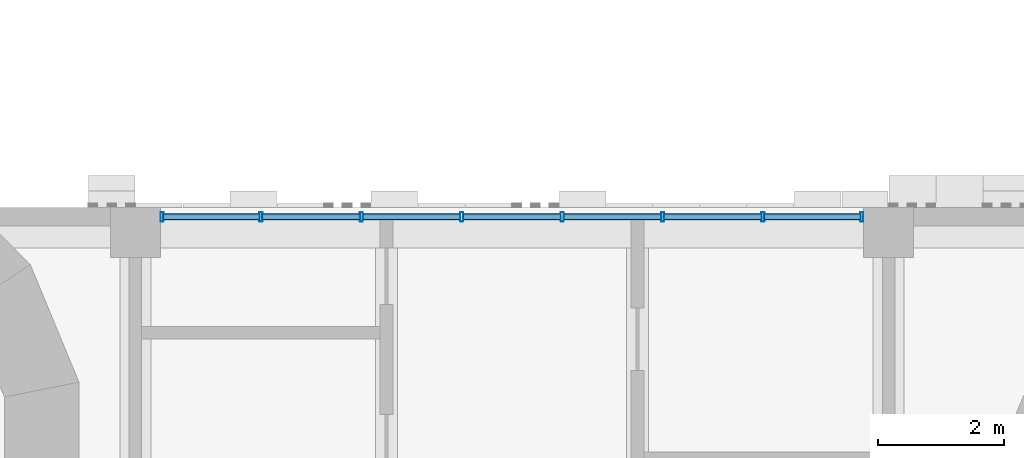
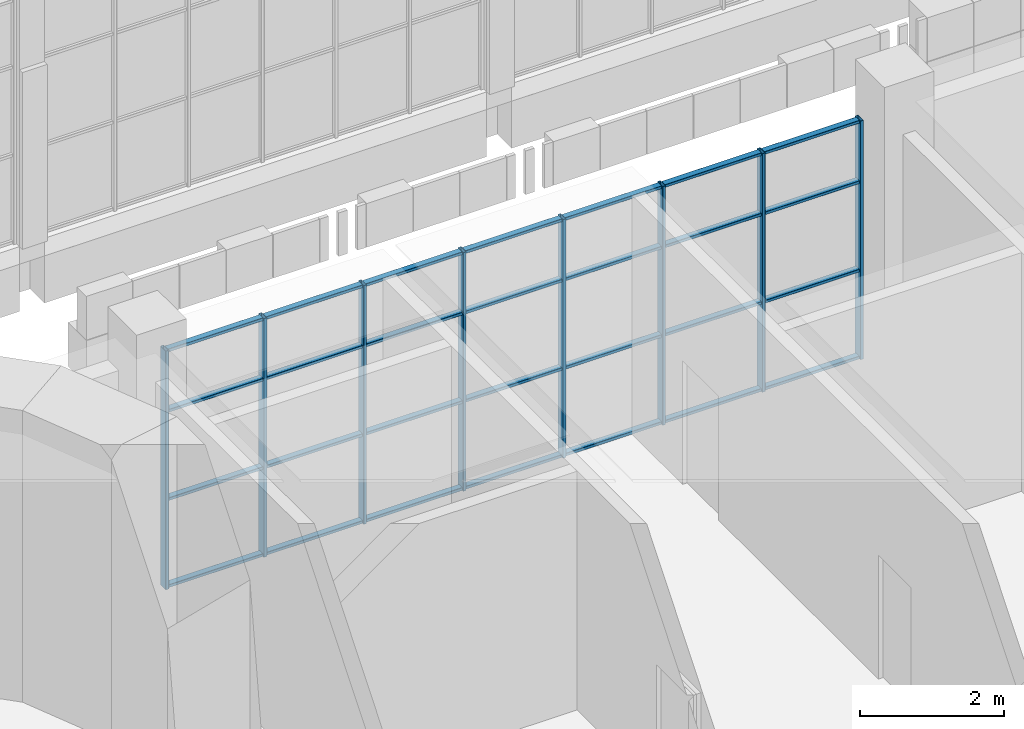
# One storey, part 7 of 125: 36 members, 1 element without a shape of its own.
"""IFC4 building model written with IfcOpenShell, lengths in metres."""

import ifcopenshell
import ifcopenshell.guid

model = None  # the IFC model being written
_history = None  # IfcOwnerHistory: only IFC2X3 demands one
_inside = {}  # id of a spatial element -> (the spatial element, [elements in it])
_under = {}  # id of a project, library or spatial element -> (it, [spatial elements below it])
_declared = {}  # id of a project -> (the project, [libraries it declares])
_typed = {}  # id of a type object -> (the type object, [elements of that type])
_made_of = {}  # id of a material, layer set ... -> (it, [elements and type objects made of it])


def new_model(schema):
    """Start an empty IFC model of exactly this schema.

    Asked for "IFC4X3", IfcOpenShell would pick the latest addendum, in which some entities
    have other attributes; the version numbers below select the first issue.
    IFC2X3 requires an IfcOwnerHistory on every rooted entity: one is made here for all.
    """
    global model, _history
    if schema == "IFC4X3":
        model = ifcopenshell.file(schema_version=(4, 3, 0, 0))
    else:
        model = ifcopenshell.file(schema=schema)
    _inside.clear()
    _under.clear()
    _declared.clear()
    _typed.clear()
    _made_of.clear()
    _history = None
    if model.schema == "IFC2X3":
        org = make("IfcOrganization", Name="unknown")
        user = make(
            "IfcPersonAndOrganization",
            ThePerson=make("IfcPerson", FamilyName="unknown"),
            TheOrganization=org,
        )
        app = make(
            "IfcApplication",
            ApplicationDeveloper=org,
            Version="unknown",
            ApplicationFullName="unknown",
            ApplicationIdentifier="unknown",
        )
        _history = make(
            "IfcOwnerHistory",
            OwningUser=user,
            OwningApplication=app,
            ChangeAction="ADDED",
            CreationDate=0,
        )
    return model


def make(cls, **values):
    """One entity of the class cls with the attributes given. An attribute that is None is left unset."""
    return model.create_entity(
        cls, **{name: value for name, value in values.items() if value is not None}
    )


def rooted(cls, **values):
    """An entity with a GlobalId (a new one), such as an element, a storey or a relation."""
    return make(cls, GlobalId=ifcopenshell.guid.new(), OwnerHistory=_history, **values)


def si_unit(unit_type, name, prefix=None):
    """IfcSIUnit, for example si_unit("LENGTHUNIT", "METRE", prefix="MILLI")."""
    return make("IfcSIUnit", UnitType=unit_type, Prefix=prefix, Name=name)


def assignment(units):
    """IfcUnitAssignment: the units of a project."""
    return None if units is None else make("IfcUnitAssignment", Units=units)


def point(xyz):
    """IfcCartesianPoint."""
    return None if xyz is None else make("IfcCartesianPoint", Coordinates=xyz)


def direction(xyz):
    """IfcDirection."""
    return None if xyz is None else make("IfcDirection", DirectionRatios=xyz)


def frame(location, z_axis=None, x_axis=None):
    """IfcAxis2Placement3D, a coordinate frame: its origin and axes. An axis left out is left unset."""
    return make(
        "IfcAxis2Placement3D",
        Location=point(location),
        Axis=direction(z_axis),
        RefDirection=direction(x_axis),
    )


def frame_2d(location, x_axis=None):
    """IfcAxis2Placement2D, a coordinate frame in the plane: its origin and x axis."""
    return make(
        "IfcAxis2Placement2D", Location=point(location), RefDirection=direction(x_axis)
    )


def origin():
    """The frame at (0, 0, 0) with its axes left unset."""
    return frame((0.0, 0.0, 0.0))


def origin_2d():
    """The frame at (0, 0) in the plane with its x axis left unset."""
    return frame_2d((0.0, 0.0))


def place(relative_to, where):
    """IfcLocalPlacement: puts the frame where relative to a parent placement (None: the world)."""
    return make(
        "IfcLocalPlacement", PlacementRelTo=relative_to, RelativePlacement=where
    )


def context(
    kind, dimensions, precision=None, world=None, true_north=None, identifier=None
):
    """IfcGeometricRepresentationContext, for example the 3D "Model" context."""
    return make(
        "IfcGeometricRepresentationContext",
        ContextIdentifier=identifier,
        ContextType=kind,
        CoordinateSpaceDimension=dimensions,
        Precision=precision,
        WorldCoordinateSystem=world,
        TrueNorth=true_north,
    )


def subcontext(parent, identifier, kind, view, scale=None):
    """IfcGeometricRepresentationSubContext, for example "Body" below "Model"."""
    return make(
        "IfcGeometricRepresentationSubContext",
        ContextIdentifier=identifier,
        ContextType=kind,
        ParentContext=parent,
        TargetScale=scale,
        TargetView=view,
    )


def project(units=None, contexts=None):
    """IfcProject with its units and contexts."""
    return rooted(
        "IfcProject",
        Name="project",
        RepresentationContexts=contexts,
        UnitsInContext=assignment(units),
    )


def spatial(cls, under=None, at=None, **own):
    """A site, building, storey or space (cls), placed at a placement, below another one or the project."""
    s = rooted(cls, ObjectPlacement=at, **own)
    if under is not None:
        _under.setdefault(under.id(), (under, []))[1].append(s)
    return s


def profile(cls, at=None, kind="AREA", **sizes):
    """A parametric profile (cls). Its sizes go by their IFC names, for example OverallWidth=200.0."""
    return make(cls, ProfileType=kind, Position=at, **sizes)


def hollow_rectangle(**sizes):
    """IfcRectangleHollowProfileDef."""
    return profile("IfcRectangleHollowProfileDef", **sizes)


def extrude(swept, where, along, depth):
    """IfcExtrudedAreaSolid: the profile swept, set in the frame where, extruded along a direction by depth."""
    return make(
        "IfcExtrudedAreaSolid",
        SweptArea=swept,
        Position=where,
        ExtrudedDirection=direction(along),
        Depth=depth,
    )


def shape(context_of_items, identifier, shape_type, items):
    """IfcShapeRepresentation: the items that make up one representation, for example the "Body"."""
    return make(
        "IfcShapeRepresentation",
        ContextOfItems=context_of_items,
        RepresentationIdentifier=identifier,
        RepresentationType=shape_type,
        Items=items,
    )


def material(Name=None, Category=None):
    """IfcMaterial."""
    return make("IfcMaterial", Name=Name, Category=Category)


def material_profile(
    of_material, cross_section, Name=None, Category=None, Priority=None
):
    """IfcMaterialProfile: a cross section and its material."""
    return make(
        "IfcMaterialProfile",
        Name=Name,
        Material=of_material,
        Profile=cross_section,
        Priority=Priority,
        Category=Category,
    )


def profile_set(profiles, Name=None, composite=None):
    """IfcMaterialProfileSet."""
    return make(
        "IfcMaterialProfileSet",
        Name=Name,
        MaterialProfiles=profiles,
        CompositeProfile=composite,
    )


def made_of(thing, what):
    """Note that an element or type object is made of a material, layer set ...; save() writes the relation."""
    if what is not None:
        _made_of.setdefault(what.id(), (what, []))[1].append(thing)
    return thing


def type_object(cls, material=None, **own):
    """A type object (cls), such as IfcWallType, which elements share."""
    return made_of(rooted(cls, **own), material)


def element(
    cls,
    number,
    at=None,
    inside=None,
    cuts=None,
    type_object=None,
    material=None,
    context=None,
    identifier="Body",
    shape_type=None,
    held_by="IfcProductDefinitionShape",
    body=None,
    shapes=None,
    **own,
):
    """One element of the class cls, such as IfcWall. Its Tag is "e" and its number.

    at: its placement. inside: the storey or other place that contains it. cuts: it is an
    opening in that element (IfcRelVoidsElement). A single representation is given by context,
    identifier, shape_type and body (its items); several are given by shapes. held_by: the class
    of the entity that holds the representations. save() writes the other relations.
    """
    e = rooted(cls, Tag="e%d" % number, ObjectPlacement=at, **own)
    if body is not None:
        shapes = [shape(context, identifier, shape_type, body)]
    if shapes is not None:
        e.Representation = make(held_by, Representations=shapes)
    if inside is not None:
        _inside.setdefault(inside.id(), (inside, []))[1].append(e)
    if cuts is not None:
        rooted(
            "IfcRelVoidsElement", RelatingBuildingElement=cuts, RelatedOpeningElement=e
        )
    if type_object is not None:
        _typed.setdefault(type_object.id(), (type_object, []))[1].append(e)
    return made_of(e, material)


def aggregate(whole, parts):
    """IfcRelAggregates: a whole, such as a stair, and the parts it consists of."""
    return rooted("IfcRelAggregates", RelatingObject=whole, RelatedObjects=parts)


def save(model, path):
    """Write the relations noted so far, then the file.

    IfcRelAggregates (storeys below a building ...), IfcRelContainedInSpatialStructure (elements
    in a storey), IfcRelDefinesByType, IfcRelAssociatesMaterial and IfcRelDeclares: one each for
    every whole, place, type object, material and project.
    """
    for whole, parts in _under.values():
        aggregate(whole, parts)
    for where, things in _inside.values():
        rooted(
            "IfcRelContainedInSpatialStructure",
            RelatedElements=things,
            RelatingStructure=where,
        )
    for kind, things in _typed.values():
        rooted("IfcRelDefinesByType", RelatedObjects=things, RelatingType=kind)
    for what, things in _made_of.values():
        rooted("IfcRelAssociatesMaterial", RelatedObjects=things, RelatingMaterial=what)
    for by, libraries in _declared.values():
        rooted("IfcRelDeclares", RelatingContext=by, RelatedDefinitions=libraries)
    model.write(path)


model = new_model("IFC4")

# Units and contexts
model_context = context("Model", 3, precision=1e-05, world=origin(), true_north=direction((0.0, 1.0)))
body_context = subcontext(model_context, "Body", "Model", "MODEL_VIEW")
ifc_project = project(units=[si_unit("LENGTHUNIT", "METRE"), si_unit("AREAUNIT", "SQUARE_METRE"), si_unit("VOLUMEUNIT", "CUBIC_METRE"), si_unit("PLANEANGLEUNIT", "RADIAN"), si_unit("MASSUNIT", "GRAM", prefix="KILO")], contexts=[model_context])

# Site, building, storey
site_placement = place(None, origin())
site = spatial("IfcSite", under=ifc_project, at=site_placement, CompositionType="ELEMENT")
building_placement = place(site_placement, origin())
building = spatial("IfcBuilding", under=site, at=building_placement, Name="Sun Court Science Centre", CompositionType="ELEMENT")
storey_placement = place(building_placement, frame((0.0, 0.0, 6.0)))
storey = spatial("IfcBuildingStorey", under=building, at=storey_placement, Name="L01", CompositionType="ELEMENT", Elevation=6.0)

# Curtain wall, members
ifc_material_1 = material(Name="Aluminium EN AW-6063 T6", Category="aluminium")
curtain_wall_type = type_object("IfcCurtainWallType", Name="Court gallery curtain wall 1500", PredefinedType="NOTDEFINED", material=ifc_material_1)
curtain_wall_placement = place(storey_placement, origin())
curtain_wall = element("IfcCurtainWall", 1, at=curtain_wall_placement, inside=storey, type_object=curtain_wall_type, Name="Curtain wall V2 N L01 02", PredefinedType="NOTDEFINED")
ifc_material_2 = material(Name="Aluminium EN AW-6063 T6", Category="aluminium")
ifc_material_profile_1 = material_profile(ifc_material_2, hollow_rectangle(XDim=0.050048828125, YDim=0.14990234375, WallThickness=0.00390625, InnerFilletRadius=0.00390625, OuterFilletRadius=0.006103515625, at=origin_2d()), Name="AL 50x150x4")
ifc_profile_set_1 = profile_set([ifc_material_profile_1], Name="Aluminium EN AW-6063 T6")
member_type_1 = type_object("IfcMemberType", Name="Curtain wall mullion AL 50x150", PredefinedType="MULLION", material=ifc_profile_set_1)
member_1_placement = place(storey_placement, frame((48.425048828125, 27.85009765625, 0.0), z_axis=(0.0, 0.0, 1.0), x_axis=(1.0, 0.0, 0.0)))
member_1 = element("IfcMember", 2, at=member_1_placement, type_object=member_type_1, Name="CW5-04 mullion 1", PredefinedType="MULLION", context=body_context, shape_type="SweptSolid", body=[
    extrude(hollow_rectangle(XDim=0.050048828125, YDim=0.14990234375, WallThickness=0.00390625, InnerFilletRadius=0.00390625, OuterFilletRadius=0.006103515625, at=origin_2d()), origin(), (0.0, 0.0, 1.0), 4.050048828125),
])
member_2_placement = place(storey_placement, frame((50.0, 27.85009765625, 0.0), z_axis=(0.0, 0.0, 1.0), x_axis=(1.0, 0.0, 0.0)))
member_2 = element("IfcMember", 3, at=member_2_placement, type_object=member_type_1, Name="CW5-04 mullion 2", PredefinedType="MULLION", context=body_context, shape_type="SweptSolid", body=[
    extrude(hollow_rectangle(XDim=0.050048828125, YDim=0.14990234375, WallThickness=0.00390625, InnerFilletRadius=0.00390625, OuterFilletRadius=0.006103515625, at=origin_2d()), origin(), (0.0, 0.0, 1.0), 4.050048828125),
])
member_3_placement = place(storey_placement, frame((51.60009765625, 27.85009765625, 0.0), z_axis=(0.0, 0.0, 1.0), x_axis=(1.0, 0.0, 0.0)))
member_3 = element("IfcMember", 4, at=member_3_placement, type_object=member_type_1, Name="CW5-04 mullion 3", PredefinedType="MULLION", context=body_context, shape_type="SweptSolid", body=[
    extrude(hollow_rectangle(XDim=0.050048828125, YDim=0.14990234375, WallThickness=0.00390625, InnerFilletRadius=0.00390625, OuterFilletRadius=0.006103515625, at=origin_2d()), origin(), (0.0, 0.0, 1.0), 4.050048828125),
])
member_4_placement = place(storey_placement, frame((53.199951171875, 27.85009765625, 0.0), z_axis=(0.0, 0.0, 1.0), x_axis=(1.0, 0.0, 0.0)))
member_4 = element("IfcMember", 5, at=member_4_placement, type_object=member_type_1, Name="CW5-04 mullion 4", PredefinedType="MULLION", context=body_context, shape_type="SweptSolid", body=[
    extrude(hollow_rectangle(XDim=0.050048828125, YDim=0.14990234375, WallThickness=0.00390625, InnerFilletRadius=0.00390625, OuterFilletRadius=0.006103515625, at=origin_2d()), origin(), (0.0, 0.0, 1.0), 4.050048828125),
])
member_5_placement = place(storey_placement, frame((54.800048828125, 27.85009765625, 0.0), z_axis=(0.0, 0.0, 1.0), x_axis=(1.0, 0.0, 0.0)))
member_5 = element("IfcMember", 6, at=member_5_placement, type_object=member_type_1, Name="CW5-04 mullion 5", PredefinedType="MULLION", context=body_context, shape_type="SweptSolid", body=[
    extrude(hollow_rectangle(XDim=0.050048828125, YDim=0.14990234375, WallThickness=0.00390625, InnerFilletRadius=0.00390625, OuterFilletRadius=0.006103515625, at=origin_2d()), origin(), (0.0, 0.0, 1.0), 4.050048828125),
])
member_6_placement = place(storey_placement, frame((56.39990234375, 27.85009765625, 0.0), z_axis=(0.0, 0.0, 1.0), x_axis=(1.0, 0.0, 0.0)))
member_6 = element("IfcMember", 7, at=member_6_placement, type_object=member_type_1, Name="CW5-04 mullion 6", PredefinedType="MULLION", context=body_context, shape_type="SweptSolid", body=[
    extrude(hollow_rectangle(XDim=0.050048828125, YDim=0.14990234375, WallThickness=0.00390625, InnerFilletRadius=0.00390625, OuterFilletRadius=0.006103515625, at=origin_2d()), origin(), (0.0, 0.0, 1.0), 4.050048828125),
])
member_7_placement = place(storey_placement, frame((58.0, 27.85009765625, 0.0), z_axis=(0.0, 0.0, 1.0), x_axis=(1.0, 0.0, 0.0)))
member_7 = element("IfcMember", 8, at=member_7_placement, type_object=member_type_1, Name="CW5-04 mullion 7", PredefinedType="MULLION", context=body_context, shape_type="SweptSolid", body=[
    extrude(hollow_rectangle(XDim=0.050048828125, YDim=0.14990234375, WallThickness=0.00390625, InnerFilletRadius=0.00390625, OuterFilletRadius=0.006103515625, at=origin_2d()), origin(), (0.0, 0.0, 1.0), 4.050048828125),
])
member_8_placement = place(storey_placement, frame((59.574951171875, 27.85009765625, 0.0), z_axis=(0.0, 0.0, 1.0), x_axis=(1.0, 0.0, 0.0)))
member_8 = element("IfcMember", 9, at=member_8_placement, type_object=member_type_1, Name="CW5-04 mullion 8", PredefinedType="MULLION", context=body_context, shape_type="SweptSolid", body=[
    extrude(hollow_rectangle(XDim=0.050048828125, YDim=0.14990234375, WallThickness=0.00390625, InnerFilletRadius=0.00390625, OuterFilletRadius=0.006103515625, at=origin_2d()), origin(), (0.0, 0.0, 1.0), 4.050048828125),
])
ifc_material_3 = material(Name="Aluminium EN AW-6063 T6", Category="aluminium")
ifc_material_profile_2 = material_profile(ifc_material_3, hollow_rectangle(XDim=0.050048828125, YDim=0.10009765625, WallThickness=0.00390625, InnerFilletRadius=0.00390625, OuterFilletRadius=0.006103515625, at=origin_2d()), Name="AL 50x100x4")
ifc_profile_set_2 = profile_set([ifc_material_profile_2], Name="Aluminium EN AW-6063 T6")
member_type_2 = type_object("IfcMemberType", Name="Curtain wall transom AL 50x100", PredefinedType="USERDEFINED", material=ifc_profile_set_2)
member_9_placement = place(storey_placement, frame((48.449951171875, 27.85009765625, 0.02490234375), z_axis=(1.0, 0.0, 0.0), x_axis=(0.0, 0.0, 1.0)))
member_9 = element("IfcMember", 10, at=member_9_placement, type_object=member_type_2, Name="CW5-04 transom 1.1", ObjectType="TRANSOM", PredefinedType="USERDEFINED", context=body_context, shape_type="SweptSolid", body=[
    extrude(hollow_rectangle(XDim=0.050048828125, YDim=0.10009765625, WallThickness=0.00390625, InnerFilletRadius=0.00390625, OuterFilletRadius=0.006103515625, at=origin_2d()), origin(), (0.0, 0.0, 1.0), 1.525146484375),
])
member_10_placement = place(storey_placement, frame((50.02490234375, 27.85009765625, 0.02490234375), z_axis=(1.0, 0.0, 0.0), x_axis=(0.0, 0.0, 1.0)))
member_10 = element("IfcMember", 11, at=member_10_placement, type_object=member_type_2, Name="CW5-04 transom 2.1", ObjectType="TRANSOM", PredefinedType="USERDEFINED", context=body_context, shape_type="SweptSolid", body=[
    extrude(hollow_rectangle(XDim=0.050048828125, YDim=0.10009765625, WallThickness=0.00390625, InnerFilletRadius=0.00390625, OuterFilletRadius=0.006103515625, at=origin_2d()), origin(), (0.0, 0.0, 1.0), 1.550048828125),
])
member_11_placement = place(storey_placement, frame((51.625, 27.85009765625, 0.02490234375), z_axis=(1.0, 0.0, 0.0), x_axis=(0.0, 0.0, 1.0)))
member_11 = element("IfcMember", 12, at=member_11_placement, type_object=member_type_2, Name="CW5-04 transom 3.1", ObjectType="TRANSOM", PredefinedType="USERDEFINED", context=body_context, shape_type="SweptSolid", body=[
    extrude(hollow_rectangle(XDim=0.050048828125, YDim=0.10009765625, WallThickness=0.00390625, InnerFilletRadius=0.00390625, OuterFilletRadius=0.006103515625, at=origin_2d()), origin(), (0.0, 0.0, 1.0), 1.550048828125),
])
member_12_placement = place(storey_placement, frame((53.22509765625, 27.85009765625, 0.02490234375), z_axis=(1.0, 0.0, 0.0), x_axis=(0.0, 0.0, 1.0)))
member_12 = element("IfcMember", 13, at=member_12_placement, type_object=member_type_2, Name="CW5-04 transom 4.1", ObjectType="TRANSOM", PredefinedType="USERDEFINED", context=body_context, shape_type="SweptSolid", body=[
    extrude(hollow_rectangle(XDim=0.050048828125, YDim=0.10009765625, WallThickness=0.00390625, InnerFilletRadius=0.00390625, OuterFilletRadius=0.006103515625, at=origin_2d()), origin(), (0.0, 0.0, 1.0), 1.5498046875),
])
member_13_placement = place(storey_placement, frame((54.824951171875, 27.85009765625, 0.02490234375), z_axis=(1.0, 0.0, 0.0), x_axis=(0.0, 0.0, 1.0)))
member_13 = element("IfcMember", 14, at=member_13_placement, type_object=member_type_2, Name="CW5-04 transom 5.1", ObjectType="TRANSOM", PredefinedType="USERDEFINED", context=body_context, shape_type="SweptSolid", body=[
    extrude(hollow_rectangle(XDim=0.050048828125, YDim=0.10009765625, WallThickness=0.00390625, InnerFilletRadius=0.00390625, OuterFilletRadius=0.006103515625, at=origin_2d()), origin(), (0.0, 0.0, 1.0), 1.550048828125),
])
member_14_placement = place(storey_placement, frame((56.425048828125, 27.85009765625, 0.02490234375), z_axis=(1.0, 0.0, 0.0), x_axis=(0.0, 0.0, 1.0)))
member_14 = element("IfcMember", 15, at=member_14_placement, type_object=member_type_2, Name="CW5-04 transom 6.1", ObjectType="TRANSOM", PredefinedType="USERDEFINED", context=body_context, shape_type="SweptSolid", body=[
    extrude(hollow_rectangle(XDim=0.050048828125, YDim=0.10009765625, WallThickness=0.00390625, InnerFilletRadius=0.00390625, OuterFilletRadius=0.006103515625, at=origin_2d()), origin(), (0.0, 0.0, 1.0), 1.550048828125),
])
member_15_placement = place(storey_placement, frame((58.02490234375, 27.85009765625, 0.02490234375), z_axis=(1.0, 0.0, 0.0), x_axis=(0.0, 0.0, 1.0)))
member_15 = element("IfcMember", 16, at=member_15_placement, type_object=member_type_2, Name="CW5-04 transom 7.1", ObjectType="TRANSOM", PredefinedType="USERDEFINED", context=body_context, shape_type="SweptSolid", body=[
    extrude(hollow_rectangle(XDim=0.050048828125, YDim=0.10009765625, WallThickness=0.00390625, InnerFilletRadius=0.00390625, OuterFilletRadius=0.006103515625, at=origin_2d()), origin(), (0.0, 0.0, 1.0), 1.525146484375),
])
member_16_placement = place(storey_placement, frame((48.449951171875, 27.85009765625, 1.5), z_axis=(1.0, 0.0, 0.0), x_axis=(0.0, 0.0, 1.0)))
member_16 = element("IfcMember", 17, at=member_16_placement, type_object=member_type_2, Name="CW5-04 transom 1.2", ObjectType="TRANSOM", PredefinedType="USERDEFINED", context=body_context, shape_type="SweptSolid", body=[
    extrude(hollow_rectangle(XDim=0.050048828125, YDim=0.10009765625, WallThickness=0.00390625, InnerFilletRadius=0.00390625, OuterFilletRadius=0.006103515625, at=origin_2d()), origin(), (0.0, 0.0, 1.0), 1.525146484375),
])
member_17_placement = place(storey_placement, frame((50.02490234375, 27.85009765625, 1.5), z_axis=(1.0, 0.0, 0.0), x_axis=(0.0, 0.0, 1.0)))
member_17 = element("IfcMember", 18, at=member_17_placement, type_object=member_type_2, Name="CW5-04 transom 2.2", ObjectType="TRANSOM", PredefinedType="USERDEFINED", context=body_context, shape_type="SweptSolid", body=[
    extrude(hollow_rectangle(XDim=0.050048828125, YDim=0.10009765625, WallThickness=0.00390625, InnerFilletRadius=0.00390625, OuterFilletRadius=0.006103515625, at=origin_2d()), origin(), (0.0, 0.0, 1.0), 1.550048828125),
])
member_18_placement = place(storey_placement, frame((51.625, 27.85009765625, 1.5), z_axis=(1.0, 0.0, 0.0), x_axis=(0.0, 0.0, 1.0)))
member_18 = element("IfcMember", 19, at=member_18_placement, type_object=member_type_2, Name="CW5-04 transom 3.2", ObjectType="TRANSOM", PredefinedType="USERDEFINED", context=body_context, shape_type="SweptSolid", body=[
    extrude(hollow_rectangle(XDim=0.050048828125, YDim=0.10009765625, WallThickness=0.00390625, InnerFilletRadius=0.00390625, OuterFilletRadius=0.006103515625, at=origin_2d()), origin(), (0.0, 0.0, 1.0), 1.550048828125),
])
member_19_placement = place(storey_placement, frame((53.22509765625, 27.85009765625, 1.5), z_axis=(1.0, 0.0, 0.0), x_axis=(0.0, 0.0, 1.0)))
member_19 = element("IfcMember", 20, at=member_19_placement, type_object=member_type_2, Name="CW5-04 transom 4.2", ObjectType="TRANSOM", PredefinedType="USERDEFINED", context=body_context, shape_type="SweptSolid", body=[
    extrude(hollow_rectangle(XDim=0.050048828125, YDim=0.10009765625, WallThickness=0.00390625, InnerFilletRadius=0.00390625, OuterFilletRadius=0.006103515625, at=origin_2d()), origin(), (0.0, 0.0, 1.0), 1.5498046875),
])
member_20_placement = place(storey_placement, frame((54.824951171875, 27.85009765625, 1.5), z_axis=(1.0, 0.0, 0.0), x_axis=(0.0, 0.0, 1.0)))
member_20 = element("IfcMember", 21, at=member_20_placement, type_object=member_type_2, Name="CW5-04 transom 5.2", ObjectType="TRANSOM", PredefinedType="USERDEFINED", context=body_context, shape_type="SweptSolid", body=[
    extrude(hollow_rectangle(XDim=0.050048828125, YDim=0.10009765625, WallThickness=0.00390625, InnerFilletRadius=0.00390625, OuterFilletRadius=0.006103515625, at=origin_2d()), origin(), (0.0, 0.0, 1.0), 1.550048828125),
])
member_21_placement = place(storey_placement, frame((56.425048828125, 27.85009765625, 1.5), z_axis=(1.0, 0.0, 0.0), x_axis=(0.0, 0.0, 1.0)))
member_21 = element("IfcMember", 22, at=member_21_placement, type_object=member_type_2, Name="CW5-04 transom 6.2", ObjectType="TRANSOM", PredefinedType="USERDEFINED", context=body_context, shape_type="SweptSolid", body=[
    extrude(hollow_rectangle(XDim=0.050048828125, YDim=0.10009765625, WallThickness=0.00390625, InnerFilletRadius=0.00390625, OuterFilletRadius=0.006103515625, at=origin_2d()), origin(), (0.0, 0.0, 1.0), 1.550048828125),
])
member_22_placement = place(storey_placement, frame((58.02490234375, 27.85009765625, 1.5), z_axis=(1.0, 0.0, 0.0), x_axis=(0.0, 0.0, 1.0)))
member_22 = element("IfcMember", 23, at=member_22_placement, type_object=member_type_2, Name="CW5-04 transom 7.2", ObjectType="TRANSOM", PredefinedType="USERDEFINED", context=body_context, shape_type="SweptSolid", body=[
    extrude(hollow_rectangle(XDim=0.050048828125, YDim=0.10009765625, WallThickness=0.00390625, InnerFilletRadius=0.00390625, OuterFilletRadius=0.006103515625, at=origin_2d()), origin(), (0.0, 0.0, 1.0), 1.525146484375),
])
member_23_placement = place(storey_placement, frame((48.449951171875, 27.85009765625, 3.0), z_axis=(1.0, 0.0, 0.0), x_axis=(0.0, 0.0, 1.0)))
member_23 = element("IfcMember", 24, at=member_23_placement, type_object=member_type_2, Name="CW5-04 transom 1.3", ObjectType="TRANSOM", PredefinedType="USERDEFINED", context=body_context, shape_type="SweptSolid", body=[
    extrude(hollow_rectangle(XDim=0.050048828125, YDim=0.10009765625, WallThickness=0.00390625, InnerFilletRadius=0.00390625, OuterFilletRadius=0.006103515625, at=origin_2d()), origin(), (0.0, 0.0, 1.0), 1.525146484375),
])
member_24_placement = place(storey_placement, frame((50.02490234375, 27.85009765625, 3.0), z_axis=(1.0, 0.0, 0.0), x_axis=(0.0, 0.0, 1.0)))
member_24 = element("IfcMember", 25, at=member_24_placement, type_object=member_type_2, Name="CW5-04 transom 2.3", ObjectType="TRANSOM", PredefinedType="USERDEFINED", context=body_context, shape_type="SweptSolid", body=[
    extrude(hollow_rectangle(XDim=0.050048828125, YDim=0.10009765625, WallThickness=0.00390625, InnerFilletRadius=0.00390625, OuterFilletRadius=0.006103515625, at=origin_2d()), origin(), (0.0, 0.0, 1.0), 1.550048828125),
])
member_25_placement = place(storey_placement, frame((51.625, 27.85009765625, 3.0), z_axis=(1.0, 0.0, 0.0), x_axis=(0.0, 0.0, 1.0)))
member_25 = element("IfcMember", 26, at=member_25_placement, type_object=member_type_2, Name="CW5-04 transom 3.3", ObjectType="TRANSOM", PredefinedType="USERDEFINED", context=body_context, shape_type="SweptSolid", body=[
    extrude(hollow_rectangle(XDim=0.050048828125, YDim=0.10009765625, WallThickness=0.00390625, InnerFilletRadius=0.00390625, OuterFilletRadius=0.006103515625, at=origin_2d()), origin(), (0.0, 0.0, 1.0), 1.550048828125),
])
member_26_placement = place(storey_placement, frame((53.22509765625, 27.85009765625, 3.0), z_axis=(1.0, 0.0, 0.0), x_axis=(0.0, 0.0, 1.0)))
member_26 = element("IfcMember", 27, at=member_26_placement, type_object=member_type_2, Name="CW5-04 transom 4.3", ObjectType="TRANSOM", PredefinedType="USERDEFINED", context=body_context, shape_type="SweptSolid", body=[
    extrude(hollow_rectangle(XDim=0.050048828125, YDim=0.10009765625, WallThickness=0.00390625, InnerFilletRadius=0.00390625, OuterFilletRadius=0.006103515625, at=origin_2d()), origin(), (0.0, 0.0, 1.0), 1.5498046875),
])
member_27_placement = place(storey_placement, frame((54.824951171875, 27.85009765625, 3.0), z_axis=(1.0, 0.0, 0.0), x_axis=(0.0, 0.0, 1.0)))
member_27 = element("IfcMember", 28, at=member_27_placement, type_object=member_type_2, Name="CW5-04 transom 5.3", ObjectType="TRANSOM", PredefinedType="USERDEFINED", context=body_context, shape_type="SweptSolid", body=[
    extrude(hollow_rectangle(XDim=0.050048828125, YDim=0.10009765625, WallThickness=0.00390625, InnerFilletRadius=0.00390625, OuterFilletRadius=0.006103515625, at=origin_2d()), origin(), (0.0, 0.0, 1.0), 1.550048828125),
])
member_28_placement = place(storey_placement, frame((56.425048828125, 27.85009765625, 3.0), z_axis=(1.0, 0.0, 0.0), x_axis=(0.0, 0.0, 1.0)))
member_28 = element("IfcMember", 29, at=member_28_placement, type_object=member_type_2, Name="CW5-04 transom 6.3", ObjectType="TRANSOM", PredefinedType="USERDEFINED", context=body_context, shape_type="SweptSolid", body=[
    extrude(hollow_rectangle(XDim=0.050048828125, YDim=0.10009765625, WallThickness=0.00390625, InnerFilletRadius=0.00390625, OuterFilletRadius=0.006103515625, at=origin_2d()), origin(), (0.0, 0.0, 1.0), 1.550048828125),
])
member_29_placement = place(storey_placement, frame((58.02490234375, 27.85009765625, 3.0), z_axis=(1.0, 0.0, 0.0), x_axis=(0.0, 0.0, 1.0)))
member_29 = element("IfcMember", 30, at=member_29_placement, type_object=member_type_2, Name="CW5-04 transom 7.3", ObjectType="TRANSOM", PredefinedType="USERDEFINED", context=body_context, shape_type="SweptSolid", body=[
    extrude(hollow_rectangle(XDim=0.050048828125, YDim=0.10009765625, WallThickness=0.00390625, InnerFilletRadius=0.00390625, OuterFilletRadius=0.006103515625, at=origin_2d()), origin(), (0.0, 0.0, 1.0), 1.525146484375),
])
member_30_placement = place(storey_placement, frame((48.449951171875, 27.85009765625, 4.02490234375), z_axis=(1.0, 0.0, 0.0), x_axis=(0.0, 0.0, 1.0)))
member_30 = element("IfcMember", 31, at=member_30_placement, type_object=member_type_2, Name="CW5-04 transom 1.4", ObjectType="TRANSOM", PredefinedType="USERDEFINED", context=body_context, shape_type="SweptSolid", body=[
    extrude(hollow_rectangle(XDim=0.050048828125, YDim=0.10009765625, WallThickness=0.00390625, InnerFilletRadius=0.00390625, OuterFilletRadius=0.006103515625, at=origin_2d()), origin(), (0.0, 0.0, 1.0), 1.525146484375),
])
member_31_placement = place(storey_placement, frame((50.02490234375, 27.85009765625, 4.02490234375), z_axis=(1.0, 0.0, 0.0), x_axis=(0.0, 0.0, 1.0)))
member_31 = element("IfcMember", 32, at=member_31_placement, type_object=member_type_2, Name="CW5-04 transom 2.4", ObjectType="TRANSOM", PredefinedType="USERDEFINED", context=body_context, shape_type="SweptSolid", body=[
    extrude(hollow_rectangle(XDim=0.050048828125, YDim=0.10009765625, WallThickness=0.00390625, InnerFilletRadius=0.00390625, OuterFilletRadius=0.006103515625, at=origin_2d()), origin(), (0.0, 0.0, 1.0), 1.550048828125),
])
member_32_placement = place(storey_placement, frame((51.625, 27.85009765625, 4.02490234375), z_axis=(1.0, 0.0, 0.0), x_axis=(0.0, 0.0, 1.0)))
member_32 = element("IfcMember", 33, at=member_32_placement, type_object=member_type_2, Name="CW5-04 transom 3.4", ObjectType="TRANSOM", PredefinedType="USERDEFINED", context=body_context, shape_type="SweptSolid", body=[
    extrude(hollow_rectangle(XDim=0.050048828125, YDim=0.10009765625, WallThickness=0.00390625, InnerFilletRadius=0.00390625, OuterFilletRadius=0.006103515625, at=origin_2d()), origin(), (0.0, 0.0, 1.0), 1.550048828125),
])
member_33_placement = place(storey_placement, frame((53.22509765625, 27.85009765625, 4.02490234375), z_axis=(1.0, 0.0, 0.0), x_axis=(0.0, 0.0, 1.0)))
member_33 = element("IfcMember", 34, at=member_33_placement, type_object=member_type_2, Name="CW5-04 transom 4.4", ObjectType="TRANSOM", PredefinedType="USERDEFINED", context=body_context, shape_type="SweptSolid", body=[
    extrude(hollow_rectangle(XDim=0.050048828125, YDim=0.10009765625, WallThickness=0.00390625, InnerFilletRadius=0.00390625, OuterFilletRadius=0.006103515625, at=origin_2d()), origin(), (0.0, 0.0, 1.0), 1.5498046875),
])
member_34_placement = place(storey_placement, frame((54.824951171875, 27.85009765625, 4.02490234375), z_axis=(1.0, 0.0, 0.0), x_axis=(0.0, 0.0, 1.0)))
member_34 = element("IfcMember", 35, at=member_34_placement, type_object=member_type_2, Name="CW5-04 transom 5.4", ObjectType="TRANSOM", PredefinedType="USERDEFINED", context=body_context, shape_type="SweptSolid", body=[
    extrude(hollow_rectangle(XDim=0.050048828125, YDim=0.10009765625, WallThickness=0.00390625, InnerFilletRadius=0.00390625, OuterFilletRadius=0.006103515625, at=origin_2d()), origin(), (0.0, 0.0, 1.0), 1.550048828125),
])
member_35_placement = place(storey_placement, frame((56.425048828125, 27.85009765625, 4.02490234375), z_axis=(1.0, 0.0, 0.0), x_axis=(0.0, 0.0, 1.0)))
member_35 = element("IfcMember", 36, at=member_35_placement, type_object=member_type_2, Name="CW5-04 transom 6.4", ObjectType="TRANSOM", PredefinedType="USERDEFINED", context=body_context, shape_type="SweptSolid", body=[
    extrude(hollow_rectangle(XDim=0.050048828125, YDim=0.10009765625, WallThickness=0.00390625, InnerFilletRadius=0.00390625, OuterFilletRadius=0.006103515625, at=origin_2d()), origin(), (0.0, 0.0, 1.0), 1.550048828125),
])
member_36_placement = place(storey_placement, frame((58.02490234375, 27.85009765625, 4.02490234375), z_axis=(1.0, 0.0, 0.0), x_axis=(0.0, 0.0, 1.0)))
member_36 = element("IfcMember", 37, at=member_36_placement, type_object=member_type_2, Name="CW5-04 transom 7.4", ObjectType="TRANSOM", PredefinedType="USERDEFINED", context=body_context, shape_type="SweptSolid", body=[
    extrude(hollow_rectangle(XDim=0.050048828125, YDim=0.10009765625, WallThickness=0.00390625, InnerFilletRadius=0.00390625, OuterFilletRadius=0.006103515625, at=origin_2d()), origin(), (0.0, 0.0, 1.0), 1.525146484375),
])
aggregate(curtain_wall, [member_1, member_2, member_3, member_4, member_5, member_6, member_7, member_8, member_9, member_10, member_11, member_12, member_13, member_14, member_15, member_16, member_17, member_18, member_19, member_20, member_21, member_22, member_23, member_24, member_25, member_26, member_27, member_28, member_29, member_30, member_31, member_32, member_33, member_34, member_35, member_36])

save(model, "model.ifc")
